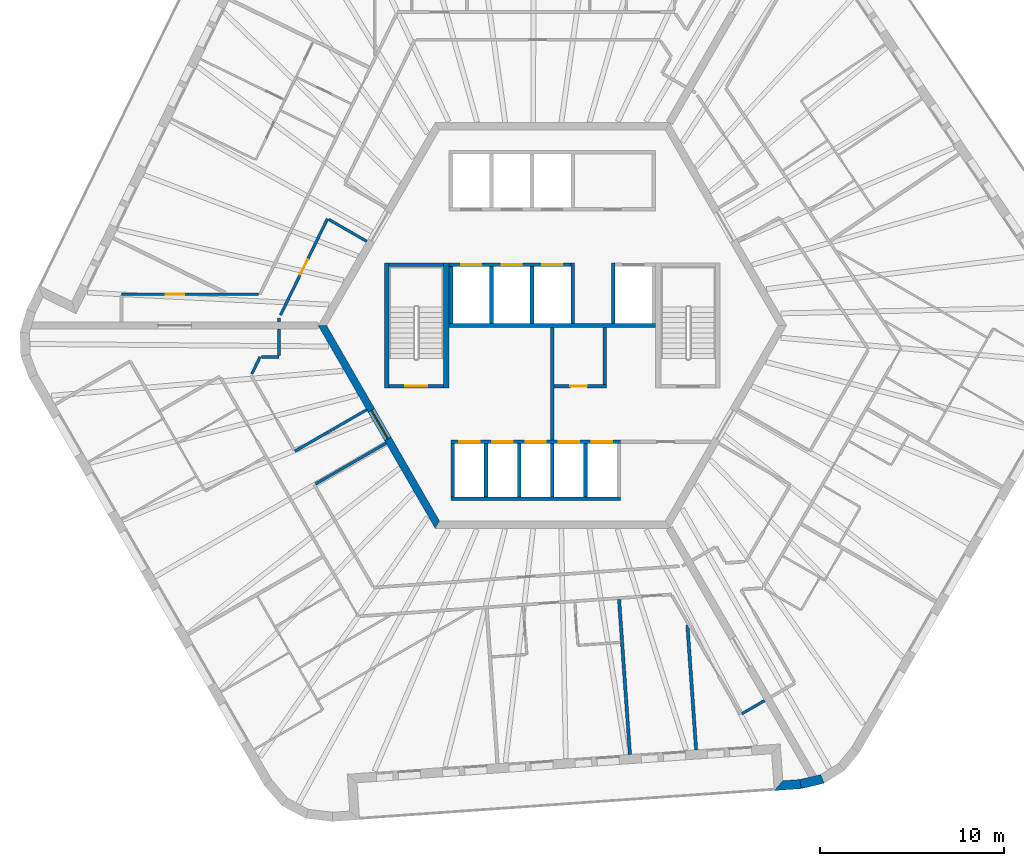
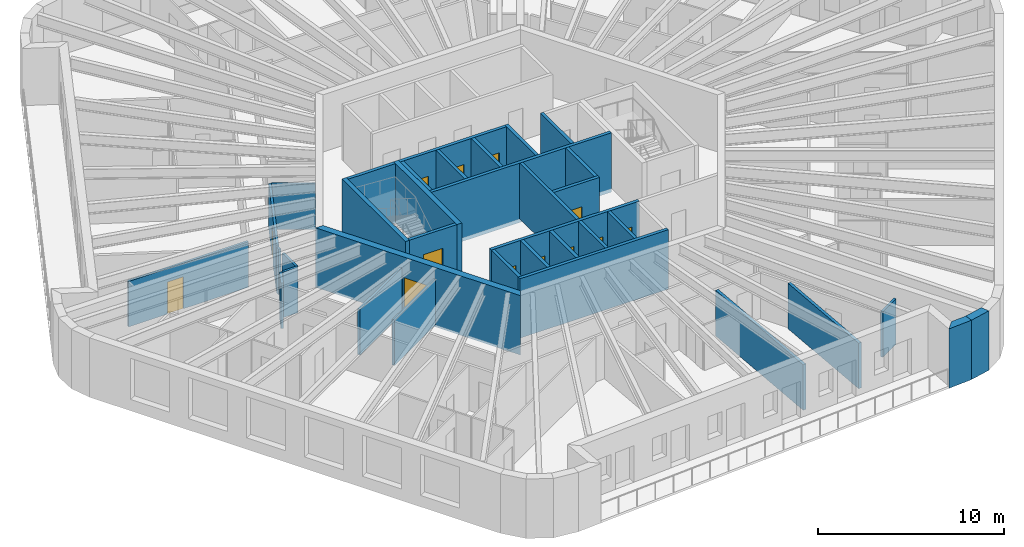
# One storey, part 5 of 12: 36 walls, 13 doors, 13 openings.
"""IFC4 building model written with IfcOpenShell, lengths in metres."""

from ifc_helpers import new_model, si_unit, direction, frame, frame_2d, origin, place, context, subcontext, project, spatial, polyline, rectangle, outline, extrude, material, layer, layer_set, type_object, element, fill, save


model = new_model("IFC4")

# Units and contexts
model_context = context("Model", 3, precision=1e-05, world=origin(), true_north=direction((0.0, 1.0)))
body_context = subcontext(model_context, "Body", "Model", "MODEL_VIEW")
ifc_project = project(units=[si_unit("LENGTHUNIT", "METRE"), si_unit("AREAUNIT", "SQUARE_METRE"), si_unit("VOLUMEUNIT", "CUBIC_METRE"), si_unit("PLANEANGLEUNIT", "RADIAN"), si_unit("MASSUNIT", "GRAM", prefix="KILO")], contexts=[model_context])

# Site, building, storey
site_placement = place(None, origin())
site = spatial("IfcSite", under=ifc_project, at=site_placement, CompositionType="ELEMENT")
building_placement = place(site_placement, origin())
building = spatial("IfcBuilding", under=site, at=building_placement, Name="Tarnside Tower", CompositionType="ELEMENT")
storey_placement = place(building_placement, frame((0.0, 0.0, 275.699951171875)))
storey = spatial("IfcBuildingStorey", under=building, at=storey_placement, Name="L66", CompositionType="ELEMENT", Elevation=275.699951171875)

# Wall, opening, door
ifc_material_1 = material(Name="Concrete C40/50", Category="concrete")
ifc_layer_1 = layer(ifc_material_1, 0.199951171875)
ifc_layer_set_1 = layer_set([ifc_layer_1], Name="Core room partition 200 C40/50")
wall_type_1 = type_object("IfcWallType", Name="Core room partition 200 C40/50", PredefinedType="PARTITIONING", material=ifc_layer_set_1)
wall_1_placement = place(storey_placement, frame((0.10009765625, -3.300048828125, 0.0), z_axis=(0.0, 0.0, 1.0), x_axis=(1.0, 0.0, 0.0)))
wall_1 = element("IfcWall", 1, at=wall_1_placement, inside=storey, type_object=wall_type_1, Name="L66 core partition R3S1", PredefinedType="PARTITIONING", context=body_context, shape_type="SweptSolid", body=[
    extrude(rectangle(XDim=2.849853515625, YDim=0.199951171875, at=frame_2d((1.4248046875, 0.0))), origin(), (0.0, 0.0, 1.0), 3.650146484375),
])
opening_1_placement = place(wall_1_placement, frame((0.875, 0.0, 0.0)))
opening_1 = element("IfcOpeningElement", 2, at=opening_1_placement, cuts=wall_1, Name="Opening CD-room", PredefinedType="OPENING", context=body_context, shape_type="SweptSolid", body=[
    extrude(rectangle(XDim=0.89990234375, YDim=2.10009765625, at=frame_2d((0.449951171875, 1.050048828125))), frame((0.0, 0.10986328125, 0.0), z_axis=(0.0, -1.0, 0.0), x_axis=(1.0, 0.0, 0.0)), (0.0, 0.0, 1.0), 0.219970703125),
])
ifc_material_2 = material(Name="Steel fire door", Category="steel")
door_type_1 = type_object("IfcDoorType", Name="Room door FD60 900x2100", OperationType="NOTDEFINED", PredefinedType="DOOR", material=ifc_material_2)
door_1_placement = place(opening_1_placement, origin())
door_1 = element("IfcDoor", 3, at=door_1_placement, inside=storey, type_object=door_type_1, Name="L66 core room door SR1", OperationType="SINGLE_SWING_LEFT", OverallHeight=2.10009765625, OverallWidth=0.89990234375, PredefinedType="DOOR", context=body_context, shape_type="SweptSolid", body=[
    extrude(rectangle(XDim=0.89990234375, YDim=2.10009765625, at=frame_2d((0.449951171875, 1.050048828125))), frame((0.0, 0.02490234375, 0.0), z_axis=(0.0, -1.0, 0.0), x_axis=(1.0, 0.0, 0.0)), (0.0, 0.0, 1.0), 0.050048828125),
])
fill(opening_1, door_1)

# Walls
wall_2_placement = place(storey_placement, frame((2.85009765625, -3.199951171875, 0.0), z_axis=(0.0, 0.0, 1.0), x_axis=(0.0, 1.0, 0.0)))
element("IfcWall", 4, at=wall_2_placement, inside=storey, type_object=wall_type_1, Name="L66 core partition R3P1b", PredefinedType="PARTITIONING", context=body_context, shape_type="SweptSolid", body=[
    extrude(rectangle(XDim=3.099853515625, YDim=0.199951171875, at=frame_2d((1.5498046875, 0.0))), origin(), (0.0, 0.0, 1.0), 3.650146484375),
])
wall_3_placement = place(storey_placement, frame((0.0, -6.199951171875, 0.0), z_axis=(0.0, 0.0, 1.0), x_axis=(0.0, 1.0, 0.0)))
element("IfcWall", 5, at=wall_3_placement, inside=storey, type_object=wall_type_1, Name="L66 core partition X0", PredefinedType="PARTITIONING", context=body_context, shape_type="SweptSolid", body=[
    extrude(rectangle(XDim=6.099853515625, YDim=0.199951171875, at=frame_2d((3.0498046875, 0.0))), origin(), (0.0, 0.0, 1.0), 3.650146484375),
])

# Wall, opening, door
ifc_material_3 = material(Name="Concrete C60/75", Category="concrete")
ifc_layer_2 = layer(ifc_material_3, 0.39990234375)
ifc_layer_set_2 = layer_set([ifc_layer_2], Name="Core wall Z3 400 C60/75")
wall_type_2 = type_object("IfcWallType", Name="Core wall Z3 400 C60/75", PredefinedType="SHEAR", material=ifc_layer_set_2)
wall_4_placement = place(storey_placement, frame((-12.470703125, 0.0, -0.14990234375), z_axis=(0.0, 0.0, 1.0), x_axis=(0.499996419489, -0.866027470984, 0.0)))
wall_4 = element("IfcWall", 6, at=wall_4_placement, inside=storey, type_object=wall_type_2, Name="L66 core wall face 3", PredefinedType="SHEAR", context=body_context, shape_type="SweptSolid", body=[
    extrude(outline(polyline([(-0.115478515625, -0.199951171875), (12.586181640625, -0.199951171875), (12.355224609375, 0.199951171875), (0.115478515625, 0.199951171875), (-0.115478515625, -0.199951171875)])), origin(), (0.0, 0.0, 1.0), 3.89990234375),
])
opening_2_placement = place(wall_4_placement, frame((5.306396484375, 0.0, 0.14990234375)))
opening_2 = element("IfcOpeningElement", 7, at=opening_2_placement, cuts=wall_4, Name="Opening CD-FFL", PredefinedType="OPENING", context=body_context, shape_type="SweptSolid", body=[
    extrude(rectangle(XDim=1.800048828125, YDim=2.39990234375, at=frame_2d((0.89990234375, 1.199951171875))), frame((0.0, 0.2099609375, 0.0), z_axis=(0.0, -1.0, 0.0), x_axis=(1.0, 0.0, 0.0)), (0.0, 0.0, 1.0), 0.419921875),
])
door_type_2 = type_object("IfcDoorType", Name="Firefighting lobby double door FD60S 1800x2400", OperationType="NOTDEFINED", PredefinedType="DOOR", material=ifc_material_2)
door_2_placement = place(opening_2_placement, origin())
door_2 = element("IfcDoor", 8, at=door_2_placement, inside=storey, type_object=door_type_2, Name="L66 core door P3", OperationType="DOUBLE_DOOR_SINGLE_SWING", OverallHeight=2.39990234375, OverallWidth=1.800048828125, PredefinedType="DOOR", context=body_context, shape_type="SweptSolid", body=[
    extrude(rectangle(XDim=1.800048828125, YDim=2.39990234375, at=frame_2d((0.89990234375, 1.199951171875))), frame((0.0, 0.02490234375, 0.0), z_axis=(0.0, -1.0, 0.0), x_axis=(1.0, 0.0, 0.0)), (0.0, 0.0, 1.0), 0.050048828125),
])
fill(opening_2, door_2)

ifc_material_4 = material(Name="Gypsum board partition on steel studs", Category="steel")
ifc_layer_3 = layer(ifc_material_4, 0.14990234375)
ifc_layer_set_3 = layer_set([ifc_layer_3], Name="Corridor wall 150 EI 60")
wall_type_3 = type_object("IfcWallType", Name="Corridor wall 150 EI 60", PredefinedType="PARTITIONING", material=ifc_layer_set_3)
wall_5_placement = place(storey_placement, frame((-15.943359375, 1.699951171875, 0.0), z_axis=(0.0, 0.0, 1.0), x_axis=(-1.0, 0.0, 0.0)))
wall_5 = element("IfcWall", 9, at=wall_5_placement, inside=storey, type_object=wall_type_3, Name="Corridor wall 21015", PredefinedType="PARTITIONING", context=body_context, shape_type="SweptSolid", body=[
    extrude(rectangle(XDim=7.4306640625, YDim=0.14990234375, at=frame_2d((3.71533203125, 0.0))), origin(), (0.0, 0.0, 1.0), 2.98779296875),
])
opening_3_placement = place(wall_5_placement, frame((4.02978515625, 0.0, 0.0)))
opening_3 = element("IfcOpeningElement", 10, at=opening_3_placement, cuts=wall_5, Name="Opening D-E1", PredefinedType="OPENING", context=body_context, shape_type="SweptSolid", body=[
    extrude(rectangle(XDim=1.0, YDim=2.10009765625, at=frame_2d((0.5, 1.050048828125))), frame((0.0, 0.0849609375, 0.0), z_axis=(0.0, -1.0, 0.0), x_axis=(1.0, 0.0, 0.0)), (0.0, 0.0, 1.0), 0.169921875),
])
ifc_material_5 = material(Name="Timber door leaf", Category="wood")
door_type_3 = type_object("IfcDoorType", Name="Unit entrance door 1000 FD30S", OperationType="NOTDEFINED", PredefinedType="DOOR", material=ifc_material_5)
door_3_placement = place(opening_3_placement, origin())
door_3 = element("IfcDoor", 11, at=door_3_placement, inside=storey, type_object=door_type_3, Name="Unit door 21025", OperationType="SINGLE_SWING_LEFT", OverallHeight=2.10009765625, OverallWidth=1.0, PredefinedType="DOOR", context=body_context, shape_type="SweptSolid", body=[
    extrude(rectangle(XDim=1.0, YDim=2.10009765625, at=frame_2d((0.5, 1.050048828125))), frame((0.0, 0.02490234375, 0.0), z_axis=(0.0, -1.0, 0.0), x_axis=(1.0, 0.0, 0.0)), (0.0, 0.0, 1.0), 0.050048828125),
])
fill(opening_3, door_3)

# Wall
wall_6_placement = place(storey_placement, frame((-14.820068359375, 0.199951171875, 0.0), z_axis=(0.0, 0.0, 1.0), x_axis=(0.0, 1.0, 0.0)))
element("IfcWall", 12, at=wall_6_placement, inside=storey, type_object=wall_type_3, Name="Corridor wall 21026", PredefinedType="PARTITIONING", context=body_context, shape_type="SweptSolid", body=[
    extrude(rectangle(XDim=0.210205078125, YDim=0.14990234375, at=frame_2d((0.10498046875, 0.0))), origin(), (0.0, 0.0, 1.0), 2.98779296875),
])

# Wall, opening, door
wall_7_placement = place(storey_placement, frame((-14.7451171875, 0.563720703125, 0.0), z_axis=(0.0, 0.0, 1.0), x_axis=(0.438348416625, 0.898805132185, 0.0)))
wall_7 = element("IfcWall", 13, at=wall_7_placement, inside=storey, type_object=wall_type_3, Name="Corridor wall 21027", PredefinedType="PARTITIONING", context=body_context, shape_type="SweptSolid", body=[
    extrude(rectangle(XDim=5.819580078125, YDim=0.14990234375, at=frame_2d((2.90966796875, 0.0))), origin(), (0.0, 0.0, 1.0), 2.98779296875),
])
opening_4_placement = place(wall_7_placement, frame((2.459716796875, 0.0, 0.0)))
opening_4 = element("IfcOpeningElement", 14, at=opening_4_placement, cuts=wall_7, Name="Opening D-S1", PredefinedType="OPENING", context=body_context, shape_type="SweptSolid", body=[
    extrude(rectangle(XDim=0.89990234375, YDim=2.10009765625, at=frame_2d((0.449951171875, 1.050048828125))), frame((0.0, 0.0849609375, 0.0), z_axis=(0.0, -1.0, 0.0), x_axis=(1.0, 0.0, 0.0)), (0.0, 0.0, 1.0), 0.169921875),
])
door_type_4 = type_object("IfcDoorType", Name="Service room door 900 FD30S", OperationType="NOTDEFINED", PredefinedType="DOOR", material=ifc_material_5)
door_4_placement = place(opening_4_placement, origin())
door_4 = element("IfcDoor", 15, at=door_4_placement, inside=storey, type_object=door_type_4, Name="Service door 21070", OperationType="SINGLE_SWING_RIGHT", OverallHeight=2.10009765625, OverallWidth=0.89990234375, PredefinedType="DOOR", context=body_context, shape_type="SweptSolid", body=[
    extrude(rectangle(XDim=0.89990234375, YDim=2.10009765625, at=frame_2d((0.449951171875, 1.050048828125))), frame((0.0, 0.02490234375, 0.0), z_axis=(0.0, -1.0, 0.0), x_axis=(1.0, 0.0, 0.0)), (0.0, 0.0, 1.0), 0.050048828125),
])
fill(opening_4, door_4)

# Walls
wall_8_placement = place(storey_placement, frame((-12.12890625, 5.7568359375, 0.0), z_axis=(0.0, 0.0, 1.0), x_axis=(0.866033707122, -0.499985617921, 0.0)))
element("IfcWall", 16, at=wall_8_placement, inside=storey, type_object=wall_type_3, Name="Corridor wall 21028", PredefinedType="PARTITIONING", context=body_context, shape_type="SweptSolid", body=[
    extrude(rectangle(XDim=2.38232421875, YDim=0.14990234375, at=frame_2d((1.191162109375, 0.0))), origin(), (0.0, 0.0, 1.0), 2.98779296875),
])
wall_9_placement = place(storey_placement, frame((10.27978515625, -21.054931640625, 0.0), z_axis=(0.0, 0.0, 1.0), x_axis=(0.866020080793, 0.500009219579, 0.0)))
element("IfcWall", 17, at=wall_9_placement, inside=storey, type_object=wall_type_3, Name="Corridor wall 21046", PredefinedType="PARTITIONING", context=body_context, shape_type="SweptSolid", body=[
    extrude(rectangle(XDim=1.4248046875, YDim=0.14990234375, at=frame_2d((0.71240234375, 0.0))), origin(), (0.0, 0.0, 1.0), 2.98779296875),
])
wall_10_placement = place(storey_placement, frame((-10.065673828125, -4.565673828125, 0.0), z_axis=(0.0, 0.0, 1.0), x_axis=(-0.866031096941, -0.499990139034, 0.0)))
element("IfcWall", 18, at=wall_10_placement, inside=storey, type_object=wall_type_3, Name="Corridor wall 21047", PredefinedType="PARTITIONING", context=body_context, shape_type="SweptSolid", body=[
    extrude(rectangle(XDim=4.5, YDim=0.14990234375, at=frame_2d((2.25, 0.0))), origin(), (0.0, 0.0, 1.0), 2.98779296875),
])
wall_11_placement = place(storey_placement, frame((-16.29833984375, -2.62060546875, 0.0), z_axis=(0.0, 0.0, 1.0), x_axis=(0.438325013788, 0.898816545402, 0.0)))
element("IfcWall", 19, at=wall_11_placement, inside=storey, type_object=wall_type_3, Name="Corridor wall 21049", PredefinedType="PARTITIONING", context=body_context, shape_type="SweptSolid", body=[
    extrude(rectangle(XDim=1.0244140625, YDim=0.14990234375, at=frame_2d((0.51220703125, 0.0))), origin(), (0.0, 0.0, 1.0), 2.98779296875),
])
wall_12_placement = place(storey_placement, frame((-15.765869140625, -1.699951171875, 0.0), z_axis=(0.0, 0.0, 1.0), x_axis=(1.0, 0.0, 0.0)))
element("IfcWall", 20, at=wall_12_placement, inside=storey, type_object=wall_type_3, Name="Corridor wall 21050", PredefinedType="PARTITIONING", context=body_context, shape_type="SweptSolid", body=[
    extrude(rectangle(XDim=0.94580078125, YDim=0.14990234375, at=frame_2d((0.472900390625, 0.0))), origin(), (0.0, 0.0, 1.0), 2.98779296875),
])
wall_13_placement = place(storey_placement, frame((-14.820068359375, -1.625, 0.0), z_axis=(0.0, 0.0, 1.0), x_axis=(0.0, 1.0, 0.0)))
element("IfcWall", 21, at=wall_13_placement, inside=storey, type_object=wall_type_3, Name="Corridor wall 21051", PredefinedType="PARTITIONING", context=body_context, shape_type="SweptSolid", body=[
    extrude(rectangle(XDim=1.425048828125, YDim=0.14990234375, at=frame_2d((0.71240234375, 0.0))), origin(), (0.0, 0.0, 1.0), 2.98779296875),
])
wall_14_placement = place(storey_placement, frame((-12.847900390625, -8.596923828125, 0.0), z_axis=(0.0, 0.0, 1.0), x_axis=(0.866017452598, 0.500013771606, 0.0)))
element("IfcWall", 22, at=wall_14_placement, inside=storey, type_object=wall_type_3, Name="Corridor wall 21055", PredefinedType="PARTITIONING", context=body_context, shape_type="SweptSolid", body=[
    extrude(rectangle(XDim=4.42529296875, YDim=0.14990234375, at=frame_2d((2.212646484375, 0.0))), origin(), (0.0, 0.0, 1.0), 2.98779296875),
])
ifc_layer_4 = layer(ifc_material_4, 0.179931640625)
ifc_layer_set_4 = layer_set([ifc_layer_4], Name="Demising wall 180 EI 60")
wall_type_4 = type_object("IfcWallType", Name="Demising wall 180 EI 60", PredefinedType="PARTITIONING", material=ifc_layer_set_4)
wall_15_placement = place(storey_placement, frame((4.208251953125, -23.26318359375, 0.0), z_axis=(0.0, 0.0, 1.0), x_axis=(-0.069749826803, 0.997564515037, 0.0)))
element("IfcWall", 23, at=wall_15_placement, inside=storey, type_object=wall_type_4, Name="Demising wall 21141", PredefinedType="PARTITIONING", context=body_context, shape_type="SweptSolid", body=[
    extrude(rectangle(XDim=8.425048828125, YDim=0.179931640625, at=frame_2d((4.21240234375, 0.0))), origin(), (0.0, 0.0, 1.0), 2.98779296875),
])
wall_16_placement = place(storey_placement, frame((7.799560546875, -23.011962890625, 0.0), z_axis=(0.0, 0.0, 1.0), x_axis=(-0.069757205717, 0.997563999075, 0.0)))
element("IfcWall", 24, at=wall_16_placement, inside=storey, type_object=wall_type_4, Name="Demising wall 21143", PredefinedType="PARTITIONING", context=body_context, shape_type="SweptSolid", body=[
    extrude(rectangle(XDim=6.789794921875, YDim=0.179931640625, at=frame_2d((3.39501953125, 0.0))), origin(), (0.0, 0.0, 1.0), 2.98779296875),
])

# Wall, openings, doors
ifc_layer_5 = layer(ifc_material_1, 0.199951171875)
ifc_layer_set_5 = layer_set([ifc_layer_5], Name="Lift shaft wall 200 C40/50")
wall_type_5 = type_object("IfcWallType", Name="Lift shaft wall 200 C40/50", PredefinedType="SHEAR", material=ifc_layer_set_5)
wall_17_placement = place(storey_placement, frame((-5.60009765625, 3.300048828125, -0.25), z_axis=(0.0, 0.0, 1.0), x_axis=(1.0, 0.0, 0.0)))
wall_17 = element("IfcWall", 25, at=wall_17_placement, inside=storey, type_object=wall_type_5, Name="L66 lift shaft front wall R2", PredefinedType="SHEAR", context=body_context, shape_type="SweptSolid", body=[
    extrude(rectangle(XDim=6.60009765625, YDim=0.199951171875, at=frame_2d((3.300048828125, 0.0))), origin(), (0.0, 0.0, 1.0), 3.900146484375),
])
opening_5_placement = place(wall_17_placement, frame((0.64990234375, 0.0, 0.25)))
opening_5 = element("IfcOpeningElement", 26, at=opening_5_placement, cuts=wall_17, Name="Opening LD", PredefinedType="OPENING", context=body_context, shape_type="SweptSolid", body=[
    extrude(rectangle(XDim=1.10009765625, YDim=2.10009765625, at=frame_2d((0.550048828125, 1.050048828125))), frame((0.0, 0.10986328125, 0.0), z_axis=(0.0, -1.0, 0.0), x_axis=(1.0, 0.0, 0.0)), (0.0, 0.0, 1.0), 0.219970703125),
])
opening_6_placement = place(wall_17_placement, frame((2.85009765625, 0.0, 0.25)))
opening_6 = element("IfcOpeningElement", 27, at=opening_6_placement, cuts=wall_17, Name="Opening LD", PredefinedType="OPENING", context=body_context, shape_type="SweptSolid", body=[
    extrude(rectangle(XDim=1.10009765625, YDim=2.10009765625, at=frame_2d((0.550048828125, 1.050048828125))), frame((0.0, 0.10986328125, 0.0), z_axis=(0.0, -1.0, 0.0), x_axis=(1.0, 0.0, 0.0)), (0.0, 0.0, 1.0), 0.219970703125),
])
opening_7_placement = place(wall_17_placement, frame((5.050048828125, 0.0, 0.25)))
opening_7 = element("IfcOpeningElement", 28, at=opening_7_placement, cuts=wall_17, Name="Opening LD", PredefinedType="OPENING", context=body_context, shape_type="SweptSolid", body=[
    extrude(rectangle(XDim=1.10009765625, YDim=2.10009765625, at=frame_2d((0.550048828125, 1.050048828125))), frame((0.0, 0.10986328125, 0.0), z_axis=(0.0, -1.0, 0.0), x_axis=(1.0, 0.0, 0.0)), (0.0, 0.0, 1.0), 0.219970703125),
])
ifc_material_6 = material(Name="Stainless steel", Category="steel")
door_type_5 = type_object("IfcDoorType", Name="Lift landing door 1100x2100", OperationType="NOTDEFINED", PredefinedType="DOOR", material=ifc_material_6)
door_5_placement = place(opening_5_placement, origin())
door_5 = element("IfcDoor", 29, at=door_5_placement, inside=storey, type_object=door_type_5, Name="High-rise lift 4 landing door L66", OperationType="SLIDING_TO_LEFT", OverallHeight=2.10009765625, OverallWidth=1.10009765625, PredefinedType="DOOR", context=body_context, shape_type="SweptSolid", body=[
    extrude(rectangle(XDim=1.10009765625, YDim=2.10009765625, at=frame_2d((0.550048828125, 1.050048828125))), frame((0.0, 0.02490234375, 0.0), z_axis=(0.0, -1.0, 0.0), x_axis=(1.0, 0.0, 0.0)), (0.0, 0.0, 1.0), 0.050048828125),
])
fill(opening_5, door_5)
door_6_placement = place(opening_6_placement, origin())
door_6 = element("IfcDoor", 30, at=door_6_placement, inside=storey, type_object=door_type_5, Name="High-rise lift 5 landing door L66", OperationType="SLIDING_TO_LEFT", OverallHeight=2.10009765625, OverallWidth=1.10009765625, PredefinedType="DOOR", context=body_context, shape_type="SweptSolid", body=[
    extrude(rectangle(XDim=1.10009765625, YDim=2.10009765625, at=frame_2d((0.550048828125, 1.050048828125))), frame((0.0, 0.02490234375, 0.0), z_axis=(0.0, -1.0, 0.0), x_axis=(1.0, 0.0, 0.0)), (0.0, 0.0, 1.0), 0.050048828125),
])
fill(opening_6, door_6)
door_7_placement = place(opening_7_placement, origin())
door_7 = element("IfcDoor", 31, at=door_7_placement, inside=storey, type_object=door_type_5, Name="High-rise lift 6 landing door L66", OperationType="SLIDING_TO_LEFT", OverallHeight=2.10009765625, OverallWidth=1.10009765625, PredefinedType="DOOR", context=body_context, shape_type="SweptSolid", body=[
    extrude(rectangle(XDim=1.10009765625, YDim=2.10009765625, at=frame_2d((0.550048828125, 1.050048828125))), frame((0.0, 0.02490234375, 0.0), z_axis=(0.0, -1.0, 0.0), x_axis=(1.0, 0.0, 0.0)), (0.0, 0.0, 1.0), 0.050048828125),
])
fill(opening_7, door_7)

# Walls
wall_18_placement = place(storey_placement, frame((-5.60009765625, 0.0, -0.25), z_axis=(0.0, 0.0, 1.0), x_axis=(1.0, 0.0, 0.0)))
element("IfcWall", 32, at=wall_18_placement, inside=storey, type_object=wall_type_5, Name="L66 lift shaft back wall R2", PredefinedType="SHEAR", context=body_context, shape_type="SweptSolid", body=[
    extrude(rectangle(XDim=11.2001953125, YDim=0.199951171875, at=frame_2d((5.60009765625, 0.0))), origin(), (0.0, 0.0, 1.0), 3.900146484375),
])
for number, where, z_axis, x_axis, name in (
    (33, (-5.5, 0.10009765625, -0.25), (0.0, 0.0, 1.0), (0.0, 1.0, 0.0), "L66 lift shaft partition R21"),
    (34, (-3.300048828125, 0.10009765625, -0.25), (0.0, 0.0, 1.0), (0.0, 1.0, 0.0), "L66 lift shaft partition R22"),
    (35, (-1.10009765625, 0.10009765625, -0.25), (0.0, 0.0, 1.0), (0.0, 1.0, 0.0), "L66 lift shaft partition R23"),
):
    element("IfcWall", number, at=place(storey_placement, frame(where, z_axis=z_axis, x_axis=x_axis)), inside=storey, type_object=wall_type_5, Name=name, PredefinedType="SHEAR", context=body_context, shape_type="SweptSolid", body=[
        extrude(rectangle(XDim=3.099853515625, YDim=0.199951171875, at=frame_2d((1.5498046875, 0.0))), origin(), (0.0, 0.0, 1.0), 3.900146484375),
    ])
for number, where, z_axis, x_axis, name in (
    (36, (1.10009765625, 0.10009765625, -0.25), (0.0, 0.0, 1.0), (0.0, 1.0, 0.0), "L66 lift shaft partition R24"),
    (37, (3.300048828125, 0.10009765625, -0.25), (0.0, 0.0, 1.0), (0.0, 1.0, 0.0), "L66 lift shaft partition R25"),
):
    element("IfcWall", number, at=place(storey_placement, frame(where, z_axis=z_axis, x_axis=x_axis)), inside=storey, type_object=wall_type_5, Name=name, PredefinedType="SHEAR", context=body_context, shape_type="SweptSolid", body=[
        extrude(rectangle(XDim=3.2998046875, YDim=0.199951171875, at=frame_2d((1.64990234375, 0.0))), origin(), (0.0, 0.0, 1.0), 3.900146484375),
    ])

# Wall, openings, doors
wall_19_placement = place(storey_placement, frame((-5.5, -6.300048828125, -0.25), z_axis=(0.0, 0.0, 1.0), x_axis=(1.0, 0.0, 0.0)))
wall_19 = element("IfcWall", 38, at=wall_19_placement, inside=storey, type_object=wall_type_5, Name="L66 lift shaft front wall R4", PredefinedType="SHEAR", context=body_context, shape_type="SweptSolid", body=[
    extrude(rectangle(XDim=9.199951171875, YDim=0.199951171875, at=frame_2d((4.60009765625, 0.0))), origin(), (0.0, 0.0, 1.0), 3.900146484375),
])
opening_8_placement = place(wall_19_placement, frame((0.449951171875, 0.0, 0.25)))
opening_8 = element("IfcOpeningElement", 39, at=opening_8_placement, cuts=wall_19, Name="Opening LDF", PredefinedType="OPENING", context=body_context, shape_type="SweptSolid", body=[
    extrude(rectangle(XDim=1.10009765625, YDim=2.10009765625, at=frame_2d((0.550048828125, 1.050048828125))), frame((0.0, 0.10986328125, 0.0), z_axis=(0.0, -1.0, 0.0), x_axis=(1.0, 0.0, 0.0)), (0.0, 0.0, 1.0), 0.219970703125),
])
opening_9_placement = place(wall_19_placement, frame((2.25, 0.0, 0.25)))
opening_9 = element("IfcOpeningElement", 40, at=opening_9_placement, cuts=wall_19, Name="Opening LDF", PredefinedType="OPENING", context=body_context, shape_type="SweptSolid", body=[
    extrude(rectangle(XDim=1.10009765625, YDim=2.10009765625, at=frame_2d((0.550048828125, 1.050048828125))), frame((0.0, 0.10986328125, 0.0), z_axis=(0.0, -1.0, 0.0), x_axis=(1.0, 0.0, 0.0)), (0.0, 0.0, 1.0), 0.219970703125),
])
opening_10_placement = place(wall_19_placement, frame((4.050048828125, 0.0, 0.25)))
opening_10 = element("IfcOpeningElement", 41, at=opening_10_placement, cuts=wall_19, Name="Opening LDF", PredefinedType="OPENING", context=body_context, shape_type="SweptSolid", body=[
    extrude(rectangle(XDim=1.10009765625, YDim=2.10009765625, at=frame_2d((0.550048828125, 1.050048828125))), frame((0.0, 0.10986328125, 0.0), z_axis=(0.0, -1.0, 0.0), x_axis=(1.0, 0.0, 0.0)), (0.0, 0.0, 1.0), 0.219970703125),
])
opening_11_placement = place(wall_19_placement, frame((5.85009765625, 0.0, 0.25)))
opening_11 = element("IfcOpeningElement", 42, at=opening_11_placement, cuts=wall_19, Name="Opening LDF", PredefinedType="OPENING", context=body_context, shape_type="SweptSolid", body=[
    extrude(rectangle(XDim=1.10009765625, YDim=2.10009765625, at=frame_2d((0.550048828125, 1.050048828125))), frame((0.0, 0.10986328125, 0.0), z_axis=(0.0, -1.0, 0.0), x_axis=(1.0, 0.0, 0.0)), (0.0, 0.0, 1.0), 0.219970703125),
])
opening_12_placement = place(wall_19_placement, frame((7.64990234375, 0.0, 0.25)))
opening_12 = element("IfcOpeningElement", 43, at=opening_12_placement, cuts=wall_19, Name="Opening LDF", PredefinedType="OPENING", context=body_context, shape_type="SweptSolid", body=[
    extrude(rectangle(XDim=1.10009765625, YDim=2.10009765625, at=frame_2d((0.550048828125, 1.050048828125))), frame((0.0, 0.10986328125, 0.0), z_axis=(0.0, -1.0, 0.0), x_axis=(1.0, 0.0, 0.0)), (0.0, 0.0, 1.0), 0.219970703125),
])
door_type_6 = type_object("IfcDoorType", Name="Lift landing door 1100x2100 EI 120", OperationType="NOTDEFINED", PredefinedType="DOOR", material=ifc_material_6)
door_8_placement = place(opening_8_placement, origin())
door_8 = element("IfcDoor", 44, at=door_8_placement, inside=storey, type_object=door_type_6, Name="Firefighting lift 1 landing door L66", OperationType="SLIDING_TO_LEFT", OverallHeight=2.10009765625, OverallWidth=1.10009765625, PredefinedType="DOOR", context=body_context, shape_type="SweptSolid", body=[
    extrude(rectangle(XDim=1.10009765625, YDim=2.10009765625, at=frame_2d((0.550048828125, 1.050048828125))), frame((0.0, 0.02490234375, 0.0), z_axis=(0.0, -1.0, 0.0), x_axis=(1.0, 0.0, 0.0)), (0.0, 0.0, 1.0), 0.050048828125),
])
fill(opening_8, door_8)
door_9_placement = place(opening_9_placement, origin())
door_9 = element("IfcDoor", 45, at=door_9_placement, inside=storey, type_object=door_type_6, Name="Firefighting lift 2 landing door L66", OperationType="SLIDING_TO_LEFT", OverallHeight=2.10009765625, OverallWidth=1.10009765625, PredefinedType="DOOR", context=body_context, shape_type="SweptSolid", body=[
    extrude(rectangle(XDim=1.10009765625, YDim=2.10009765625, at=frame_2d((0.550048828125, 1.050048828125))), frame((0.0, 0.02490234375, 0.0), z_axis=(0.0, -1.0, 0.0), x_axis=(1.0, 0.0, 0.0)), (0.0, 0.0, 1.0), 0.050048828125),
])
fill(opening_9, door_9)
door_10_placement = place(opening_10_placement, origin())
door_10 = element("IfcDoor", 46, at=door_10_placement, inside=storey, type_object=door_type_6, Name="Firefighting lift 3 landing door L66", OperationType="SLIDING_TO_LEFT", OverallHeight=2.10009765625, OverallWidth=1.10009765625, PredefinedType="DOOR", context=body_context, shape_type="SweptSolid", body=[
    extrude(rectangle(XDim=1.10009765625, YDim=2.10009765625, at=frame_2d((0.550048828125, 1.050048828125))), frame((0.0, 0.02490234375, 0.0), z_axis=(0.0, -1.0, 0.0), x_axis=(1.0, 0.0, 0.0)), (0.0, 0.0, 1.0), 0.050048828125),
])
fill(opening_10, door_10)
door_11_placement = place(opening_11_placement, origin())
door_11 = element("IfcDoor", 47, at=door_11_placement, inside=storey, type_object=door_type_6, Name="Firefighting lift 4 landing door L66", OperationType="SLIDING_TO_LEFT", OverallHeight=2.10009765625, OverallWidth=1.10009765625, PredefinedType="DOOR", context=body_context, shape_type="SweptSolid", body=[
    extrude(rectangle(XDim=1.10009765625, YDim=2.10009765625, at=frame_2d((0.550048828125, 1.050048828125))), frame((0.0, 0.02490234375, 0.0), z_axis=(0.0, -1.0, 0.0), x_axis=(1.0, 0.0, 0.0)), (0.0, 0.0, 1.0), 0.050048828125),
])
fill(opening_11, door_11)
door_12_placement = place(opening_12_placement, origin())
door_12 = element("IfcDoor", 48, at=door_12_placement, inside=storey, type_object=door_type_6, Name="Firefighting lift 5 landing door L66", OperationType="SLIDING_TO_LEFT", OverallHeight=2.10009765625, OverallWidth=1.10009765625, PredefinedType="DOOR", context=body_context, shape_type="SweptSolid", body=[
    extrude(rectangle(XDim=1.10009765625, YDim=2.10009765625, at=frame_2d((0.550048828125, 1.050048828125))), frame((0.0, 0.02490234375, 0.0), z_axis=(0.0, -1.0, 0.0), x_axis=(1.0, 0.0, 0.0)), (0.0, 0.0, 1.0), 0.050048828125),
])
fill(opening_12, door_12)

# Walls
wall_20_placement = place(storey_placement, frame((-5.5, -9.39990234375, -0.25), z_axis=(0.0, 0.0, 1.0), x_axis=(1.0, 0.0, 0.0)))
element("IfcWall", 49, at=wall_20_placement, inside=storey, type_object=wall_type_5, Name="L66 lift shaft back wall R4", PredefinedType="SHEAR", context=body_context, shape_type="SweptSolid", body=[
    extrude(rectangle(XDim=9.199951171875, YDim=0.199951171875, at=frame_2d((4.60009765625, 0.0))), origin(), (0.0, 0.0, 1.0), 3.900146484375),
])
for number, where, z_axis, x_axis, name in (
    (50, (-5.39990234375, -9.300048828125, -0.25), (0.0, 0.0, 1.0), (0.0, 1.0, 0.0), "L66 lift shaft partition R41"),
    (51, (-3.60009765625, -9.300048828125, -0.25), (0.0, 0.0, 1.0), (0.0, 1.0, 0.0), "L66 lift shaft partition R42"),
    (52, (-1.800048828125, -9.300048828125, -0.25), (0.0, 0.0, 1.0), (0.0, 1.0, 0.0), "L66 lift shaft partition R43"),
    (53, (0.0, -9.300048828125, -0.25), (0.0, 0.0, 1.0), (0.0, 1.0, 0.0), "L66 lift shaft partition R44"),
    (54, (1.800048828125, -9.300048828125, -0.25), (0.0, 0.0, 1.0), (0.0, 1.0, 0.0), "L66 lift shaft partition R45"),
):
    element("IfcWall", number, at=place(storey_placement, frame(where, z_axis=z_axis, x_axis=x_axis)), inside=storey, type_object=wall_type_5, Name=name, PredefinedType="SHEAR", context=body_context, shape_type="SweptSolid", body=[
        extrude(rectangle(XDim=2.900146484375, YDim=0.199951171875, at=frame_2d((1.4501953125, 0.0))), origin(), (0.0, 0.0, 1.0), 3.900146484375),
    ])
wall_21_placement = place(storey_placement, frame((-8.85009765625, 3.300048828125, -0.25), z_axis=(0.0, 0.0, 1.0), x_axis=(1.0, 0.0, 0.0)))
element("IfcWall", 55, at=wall_21_placement, inside=storey, type_object=wall_type_5, Name="L66 stair 2 enclosure cap wall n", PredefinedType="SHEAR", context=body_context, shape_type="SweptSolid", body=[
    extrude(rectangle(XDim=2.9501953125, YDim=0.199951171875, at=frame_2d((1.47509765625, 0.0))), origin(), (0.0, 0.0, 1.0), 3.900146484375),
])

# Wall, opening, door
wall_22_placement = place(storey_placement, frame((-8.85009765625, -3.300048828125, -0.25), z_axis=(0.0, 0.0, 1.0), x_axis=(1.0, 0.0, 0.0)))
wall_22 = element("IfcWall", 56, at=wall_22_placement, inside=storey, type_object=wall_type_5, Name="L66 stair 2 enclosure cap wall s", PredefinedType="SHEAR", context=body_context, shape_type="SweptSolid", body=[
    extrude(rectangle(XDim=2.9501953125, YDim=0.199951171875, at=frame_2d((1.47509765625, 0.0))), origin(), (0.0, 0.0, 1.0), 3.900146484375),
])
opening_13_placement = place(wall_22_placement, frame((0.875, 0.0, 0.25)))
opening_13 = element("IfcOpeningElement", 57, at=opening_13_placement, cuts=wall_22, Name="Opening CD-STR", PredefinedType="OPENING", context=body_context, shape_type="SweptSolid", body=[
    extrude(rectangle(XDim=1.199951171875, YDim=2.39990234375, at=frame_2d((0.60009765625, 1.199951171875))), frame((0.0, 0.10986328125, 0.0), z_axis=(0.0, -1.0, 0.0), x_axis=(1.0, 0.0, 0.0)), (0.0, 0.0, 1.0), 0.219970703125),
])
door_type_7 = type_object("IfcDoorType", Name="Stair door FD60S 1200x2400", OperationType="NOTDEFINED", PredefinedType="DOOR", material=ifc_material_2)
door_13_placement = place(opening_13_placement, origin())
door_13 = element("IfcDoor", 58, at=door_13_placement, inside=storey, type_object=door_type_7, Name="L66 stair 2 door", OperationType="SINGLE_SWING_LEFT", OverallHeight=2.39990234375, OverallWidth=1.199951171875, PredefinedType="DOOR", context=body_context, shape_type="SweptSolid", body=[
    extrude(rectangle(XDim=1.199951171875, YDim=2.39990234375, at=frame_2d((0.60009765625, 1.199951171875))), frame((0.0, 0.02490234375, 0.0), z_axis=(0.0, -1.0, 0.0), x_axis=(1.0, 0.0, 0.0)), (0.0, 0.0, 1.0), 0.050048828125),
])
fill(opening_13, door_13)

# Walls
ifc_material_7 = material(Name="Dark zinc cladding")
ifc_layer_6 = layer(ifc_material_7, 0.10205078125)
ifc_material_8 = material(Name="Concrete C60/75 precast", Category="concrete")
ifc_layer_7 = layer(ifc_material_8, 0.298095703125)
ifc_material_9 = material(Name="Mineral wool insulation")
ifc_layer_8 = layer(ifc_material_9, 0.10009765625)
ifc_layer_set_6 = layer_set([ifc_layer_6, ifc_layer_7, ifc_layer_8], Name="Loggia wall 500 zinc faced")
wall_type_6 = type_object("IfcWallType", Name="Loggia wall 500 zinc faced", PredefinedType="SOLIDWALL", material=ifc_layer_set_6)
wall_23_placement = place(storey_placement, frame((12.268310546875, -24.955078125, -0.14990234375), z_axis=(0.0, 0.0, 1.0), x_axis=(0.997561942506, 0.06978660948, 0.0)))
element("IfcWall", 59, at=wall_23_placement, inside=storey, type_object=wall_type_6, Name="Tube wall L66 F4 stub 20", PredefinedType="SOLIDWALL", context=body_context, shape_type="SweptSolid", body=[
    extrude(outline(polyline([(-0.25, -0.25), (1.220458984375, -0.25), (1.179443359375, 0.25), (0.25, 0.25), (-0.25, -0.25)])), origin(), (0.0, 0.0, 1.0), 3.89990234375),
])
ifc_layer_9 = layer(ifc_material_1, 0.25)
ifc_layer_set_7 = layer_set([ifc_layer_9], Name="Stair enclosure wall 250 C40/50")
wall_type_7 = type_object("IfcWallType", Name="Stair enclosure wall 250 C40/50", PredefinedType="SHEAR", material=ifc_layer_set_7)
wall_24_placement = place(storey_placement, frame((-8.97509765625, -3.39990234375, -0.25), z_axis=(0.0, 0.0, 1.0), x_axis=(0.0, 1.0, 0.0)))
element("IfcWall", 60, at=wall_24_placement, inside=storey, type_object=wall_type_7, Name="L66 stair 2 enclosure wall outer", PredefinedType="SHEAR", context=body_context, shape_type="SweptSolid", body=[
    extrude(rectangle(XDim=6.7998046875, YDim=0.25, at=frame_2d((3.39990234375, 0.0))), origin(), (0.0, 0.0, 1.0), 3.900146484375),
])
ifc_layer_10 = layer(ifc_material_1, 0.300048828125)
ifc_layer_set_8 = layer_set([ifc_layer_10], Name="Stair enclosure wall 300 C40/50")
wall_type_8 = type_object("IfcWallType", Name="Stair enclosure wall 300 C40/50", PredefinedType="SHEAR", material=ifc_layer_set_8)
wall_25_placement = place(storey_placement, frame((-5.75, -3.39990234375, -0.25), z_axis=(0.0, 0.0, 1.0), x_axis=(0.0, 1.0, 0.0)))
element("IfcWall", 61, at=wall_25_placement, inside=storey, type_object=wall_type_8, Name="L66 stair 2 enclosure wall inner", PredefinedType="SHEAR", context=body_context, shape_type="SweptSolid", body=[
    extrude(rectangle(XDim=6.7998046875, YDim=0.300048828125, at=frame_2d((3.39990234375, 0.0))), origin(), (0.0, 0.0, 1.0), 3.900146484375),
])
ifc_material_10 = material(Name="Facing brick", Category="masonry")
ifc_layer_11 = layer(ifc_material_10, 0.10205078125)
ifc_layer_12 = layer(ifc_material_8, 0.298095703125)
ifc_layer_13 = layer(ifc_material_9, 0.10009765625)
ifc_layer_set_9 = layer_set([ifc_layer_11, ifc_layer_12, ifc_layer_13], Name="Tube wall 500 brick faced")
wall_type_9 = type_object("IfcWallType", Name="Tube wall 500 brick faced", PredefinedType="SOLIDWALL", material=ifc_layer_set_9)
wall_26_placement = place(storey_placement, frame((13.46533203125, -24.871337890625, -0.14990234375), z_axis=(0.0, 0.0, 1.0), x_axis=(0.973044740285, 0.230616420501, 0.0)))
element("IfcWall", 62, at=wall_26_placement, inside=storey, type_object=wall_type_9, Name="Tube wall L66 F4 chord 21", PredefinedType="SOLIDWALL", context=body_context, shape_type="SweptSolid", body=[
    extrude(outline(polyline([(-0.0205078125, -0.25), (1.25732421875, -0.25), (1.17529296875, 0.25), (0.0205078125, 0.25), (-0.0205078125, -0.25)])), origin(), (0.0, 0.0, 1.0), 3.89990234375),
])

save(model, "model.ifc")
